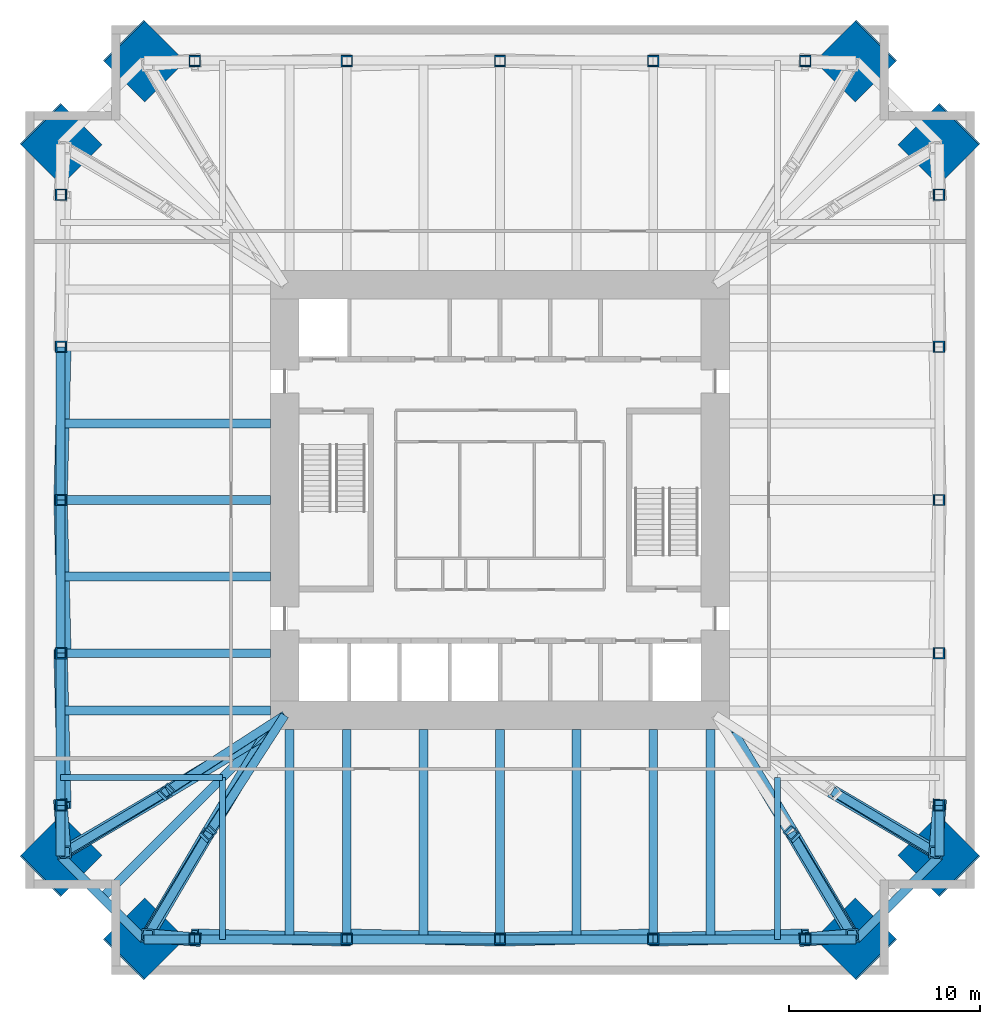
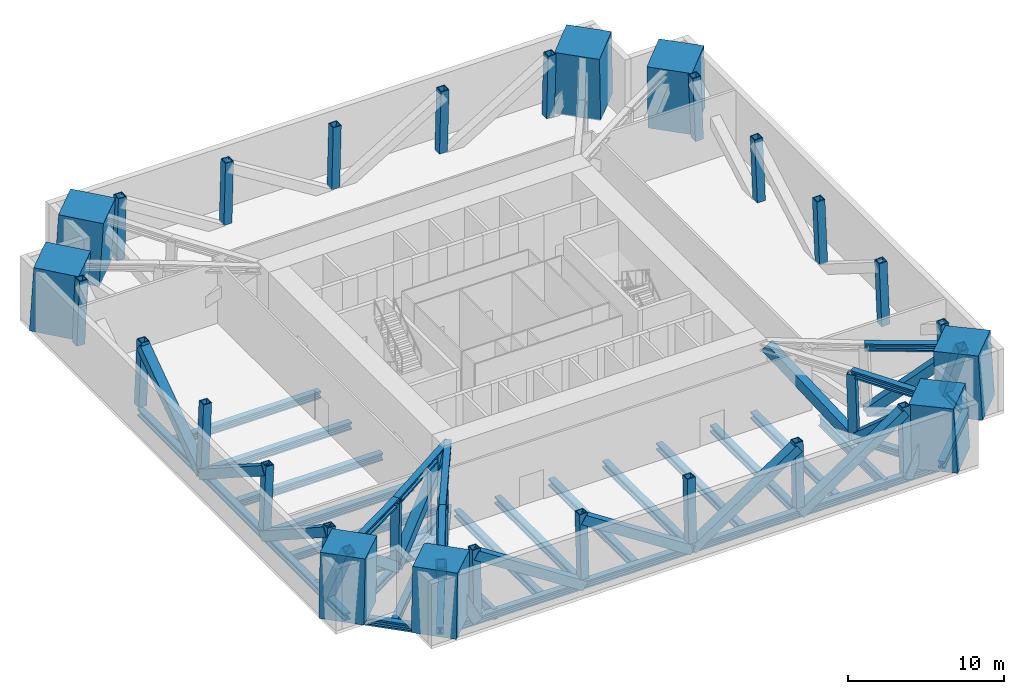
# One storey, part 1 of 6: 44 members, 28 columns, 18 beams.
"""IFC4 building model written with IfcOpenShell, lengths in metres."""

from ifc_helpers import new_model, si_unit, direction, frame, origin, origin_2d, place, context, subcontext, project, spatial, rectangle, hollow_rectangle, i_section, extrude, material, material_profile, profile_set, type_object, element, save


model = new_model("IFC4")

# Units and contexts
model_context = context("Model", 3, precision=1e-05, world=origin(), true_north=direction((0.0, 1.0)))
body_context = subcontext(model_context, "Body", "Model", "MODEL_VIEW")
ifc_project = project(units=[si_unit("LENGTHUNIT", "METRE"), si_unit("AREAUNIT", "SQUARE_METRE"), si_unit("VOLUMEUNIT", "CUBIC_METRE"), si_unit("PLANEANGLEUNIT", "RADIAN"), si_unit("MASSUNIT", "GRAM", prefix="KILO")], contexts=[model_context])

# Site, building, storey
site_placement = place(None, origin())
site = spatial("IfcSite", under=ifc_project, at=site_placement, CompositionType="ELEMENT")
building_placement = place(site_placement, origin())
building = spatial("IfcBuilding", under=site, at=building_placement, Name="Peilmerk Tower", CompositionType="ELEMENT")
storey_placement = place(building_placement, frame((0.0, 0.0, 196.800048828125)))
storey = spatial("IfcBuildingStorey", under=building, at=storey_placement, Name="L42", CompositionType="ELEMENT", Elevation=196.800048828125)

# Columns
ifc_material_1 = material(Name="Concrete C90/105", Category="concrete")
ifc_material_profile_1 = material_profile(ifc_material_1, rectangle(XDim=3.0, YDim=3.0, at=origin_2d()), Name="RC 3000x3000")
ifc_profile_set_1 = profile_set([ifc_material_profile_1], Name="Concrete C90/105")
column_type_1 = type_object("IfcColumnType", Name="MC2 3000x3000 encased mega column", PredefinedType="COLUMN", material=ifc_profile_set_1)
for number, where, z_axis, x_axis, name in (
    (1, (18.611328125, 22.961181640625, 0.0), (-0.040266662877, -0.04021791389, 0.998379244207), (0.706678361564, -0.707534941396, 0.0), "Mega column MC2 NE_N L42"),
    (2, (22.961181640625, 18.611328125, 0.0), (-0.04021791389, -0.040266662877, 0.998379244207), (0.707534941396, -0.706678361564, 0.0), "Mega column MC2 NE_E L42"),
    (3, (22.961181640625, -18.611328125, 0.0), (-0.04021791389, 0.040266662877, 0.998379244207), (-0.707534941396, -0.706678361564, 0.0), "Mega column MC2 SE_E L42"),
    (4, (18.611328125, -22.961181640625, 0.0), (-0.040266662877, 0.04021791389, 0.998379244207), (-0.706678361564, -0.707534941396, 0.0), "Mega column MC2 SE_S L42"),
    (5, (-18.611328125, -22.961181640625, 0.0), (0.040266662877, 0.04021791389, 0.998379244207), (-0.706678361564, 0.707534941396, 0.0), "Mega column MC2 SW_S L42"),
    (6, (-22.961181640625, -18.611328125, 0.0), (0.04021791389, 0.040266662877, 0.998379244207), (-0.707534941396, 0.706678361564, 0.0), "Mega column MC2 SW_W L42"),
    (7, (-22.961181640625, 18.611328125, 0.0), (0.04021791389, -0.040266662877, 0.998379244207), (0.707534941396, 0.706678361564, 0.0), "Mega column MC2 NW_W L42"),
    (8, (-18.611328125, 22.961181640625, 0.0), (0.040266662877, -0.04021791389, 0.998379244207), (0.706678361564, 0.707534941396, 0.0), "Mega column MC2 NW_N L42"),
):
    element("IfcColumn", number, at=place(storey_placement, frame(where, z_axis=z_axis, x_axis=x_axis)), inside=storey, type_object=column_type_1, Name=name, PredefinedType="COLUMN", context=body_context, shape_type="SweptSolid", body=[
        extrude(rectangle(XDim=3.0, YDim=3.0, at=origin_2d()), origin(), (0.0, 0.0, 1.0), 5.008056640625),
    ])
ifc_material_2 = material(Name="Steel S460", Category="steel")
ifc_material_profile_2 = material_profile(ifc_material_2, hollow_rectangle(XDim=0.60009765625, YDim=0.60009765625, WallThickness=0.06005859375, at=origin_2d()), Name="BOX 600x600x60")
ifc_profile_set_2 = profile_set([ifc_material_profile_2], Name="Steel S460")
column_type_2 = type_object("IfcColumnType", Name="SC9 BOX 600x600x60 belt truss vertical", PredefinedType="COLUMN", material=ifc_profile_set_2)
for number, where, z_axis, x_axis, name in (
    (9, (15.949951171875, 22.961181640625, 0.0), (0.0, -0.040250558339, 0.999189617917), (1.0, 0.0, 0.0), "Belt truss vertical T2 N"),
    (10, (8.0, 22.961181640625, 0.0), (0.0, -0.040250558339, 0.999189617917), (1.0, 0.0, 0.0), "Belt truss vertical T2 N"),
    (11, (0.0, 22.961181640625, 0.0), (0.0, -0.040250558339, 0.999189617917), (1.0, 0.0, 0.0), "Belt truss vertical T2 N"),
    (12, (-8.0, 22.961181640625, 0.0), (0.0, -0.040250558339, 0.999189617917), (1.0, 0.0, 0.0), "Belt truss vertical T2 N"),
    (13, (-15.949951171875, 22.961181640625, 0.0), (0.0, -0.040250558339, 0.999189617917), (1.0, 0.0, 0.0), "Belt truss vertical T2 N"),
    (14, (22.961181640625, -15.949951171875, 0.0), (-0.040250558339, 0.0, 0.999189617917), (0.0, -1.0, 0.0), "Belt truss vertical T2 E"),
    (15, (22.961181640625, -8.0, 0.0), (-0.040250558339, 0.0, 0.999189617917), (0.0, -1.0, 0.0), "Belt truss vertical T2 E"),
    (16, (22.961181640625, 0.0, 0.0), (-0.040250558339, 0.0, 0.999189617917), (0.0, -1.0, 0.0), "Belt truss vertical T2 E"),
    (17, (22.961181640625, 8.0, 0.0), (-0.040250558339, 0.0, 0.999189617917), (0.0, -1.0, 0.0), "Belt truss vertical T2 E"),
    (18, (22.961181640625, 15.949951171875, 0.0), (-0.040250558339, 0.0, 0.999189617917), (0.0, -1.0, 0.0), "Belt truss vertical T2 E"),
    (19, (-15.949951171875, -22.961181640625, 0.0), (0.0, 0.040250558339, 0.999189617917), (-1.0, 0.0, 0.0), "Belt truss vertical T2 S"),
    (20, (-8.0, -22.961181640625, 0.0), (0.0, 0.040250558339, 0.999189617917), (-1.0, 0.0, 0.0), "Belt truss vertical T2 S"),
    (21, (0.0, -22.961181640625, 0.0), (0.0, 0.040250558339, 0.999189617917), (-1.0, 0.0, 0.0), "Belt truss vertical T2 S"),
    (22, (8.0, -22.961181640625, 0.0), (0.0, 0.040250558339, 0.999189617917), (-1.0, 0.0, 0.0), "Belt truss vertical T2 S"),
    (23, (15.949951171875, -22.961181640625, 0.0), (0.0, 0.040250558339, 0.999189617917), (-1.0, 0.0, 0.0), "Belt truss vertical T2 S"),
    (24, (-22.961181640625, 15.949951171875, 0.0), (0.040250558339, 0.0, 0.999189617917), (0.0, 1.0, 0.0), "Belt truss vertical T2 W"),
    (25, (-22.961181640625, 8.0, 0.0), (0.040250558339, 0.0, 0.999189617917), (0.0, 1.0, 0.0), "Belt truss vertical T2 W"),
    (26, (-22.961181640625, 0.0, 0.0), (0.040250558339, 0.0, 0.999189617917), (0.0, 1.0, 0.0), "Belt truss vertical T2 W"),
    (27, (-22.961181640625, -8.0, 0.0), (0.040250558339, 0.0, 0.999189617917), (0.0, 1.0, 0.0), "Belt truss vertical T2 W"),
    (28, (-22.961181640625, -15.949951171875, 0.0), (0.040250558339, 0.0, 0.999189617917), (0.0, 1.0, 0.0), "Belt truss vertical T2 W"),
):
    element("IfcColumn", number, at=place(storey_placement, frame(where, z_axis=z_axis, x_axis=x_axis)), inside=storey, type_object=column_type_2, Name=name, PredefinedType="COLUMN", context=body_context, shape_type="SweptSolid", body=[
        extrude(hollow_rectangle(XDim=0.60009765625, YDim=0.60009765625, WallThickness=0.06005859375, at=origin_2d()), origin(), (0.0, 0.0, 1.0), 5.004150390625),
    ])

# Beams
ifc_material_profile_3 = material_profile(ifc_material_2, i_section(OverallWidth=0.4541015625, OverallDepth=0.569091796875, WebThickness=0.077880859375, FlangeThickness=0.125, at=origin_2d()), Name="HD 400x1086")
ifc_profile_set_3 = profile_set([ifc_material_profile_3], Name="Steel S460")
beam_type_1 = type_object("IfcBeamType", Name="B17 HD 400x1086 edge beam", PredefinedType="SPANDREL", material=ifc_profile_set_3)
for number, where, z_axis, x_axis, name in (
    (29, (22.961181640625, -18.611328125, -0.53466796875), (-0.707106781187, -0.707106781187, 0.0), (0.707106781187, -0.707106781187, 0.0), "Notch beam L42"),
    (30, (-18.611328125, -22.961181640625, -0.53466796875), (-0.707106781187, 0.707106781187, 0.0), (-0.707106781187, -0.707106781187, 0.0), "Notch beam L42"),
):
    element("IfcBeam", number, at=place(storey_placement, frame(where, z_axis=z_axis, x_axis=x_axis)), inside=storey, type_object=beam_type_1, Name=name, PredefinedType="SPANDREL", context=body_context, shape_type="SweptSolid", body=[
        extrude(i_section(OverallWidth=0.4541015625, OverallDepth=0.569091796875, WebThickness=0.077880859375, FlangeThickness=0.125, at=origin_2d()), origin(), (0.0, 0.0, 1.0), 6.151611328125),
    ])
ifc_material_profile_4 = material_profile(ifc_material_2, i_section(OverallWidth=0.302978515625, OverallDepth=0.81396484375, WebThickness=0.02099609375, FlangeThickness=0.0400390625, at=origin_2d()), Name="HEM 800")
ifc_profile_set_4 = profile_set([ifc_material_profile_4], Name="Steel S460")
beam_type_2 = type_object("IfcBeamType", Name="B26 HEM 800 floor beam", PredefinedType="BEAM", material=ifc_profile_set_4)
for number, where, z_axis, x_axis, name in (
    (31, (14.5, -14.5, -0.656982421875), (0.0, -1.0, 0.0), (1.0, 0.0, 0.0), "Floor beam L42"),
    (32, (-14.5, -14.5, -0.656982421875), (0.0, -1.0, 0.0), (1.0, 0.0, 0.0), "Floor beam L42"),
    (33, (-14.5, -14.5, -0.656982421875), (-1.0, 0.0, 0.0), (0.0, -1.0, 0.0), "Floor beam L42"),
):
    element("IfcBeam", number, at=place(storey_placement, frame(where, z_axis=z_axis, x_axis=x_axis)), inside=storey, type_object=beam_type_2, Name=name, PredefinedType="BEAM", context=body_context, shape_type="SweptSolid", body=[
        extrude(i_section(OverallWidth=0.302978515625, OverallDepth=0.81396484375, WebThickness=0.02099609375, FlangeThickness=0.0400390625, at=origin_2d()), origin(), (0.0, 0.0, 1.0), 8.461181640625),
    ])
ifc_material_profile_5 = material_profile(ifc_material_2, i_section(OverallWidth=0.4541015625, OverallDepth=0.569091796875, WebThickness=0.077880859375, FlangeThickness=0.125, at=origin_2d()), Name="HD 400x1086")
ifc_profile_set_5 = profile_set([ifc_material_profile_5], Name="Steel S460")
beam_type_3 = type_object("IfcBeamType", Name="B9 HD 400x1086 corner girder", PredefinedType="BEAM", material=ifc_profile_set_5)
for number, where, z_axis, x_axis, name in (
    (34, (-11.0, -12.0, -0.53466796875), (0.0, -1.0, 0.0), (1.0, 0.0, 0.0), "Floor beam L42"),
    (35, (-8.0, -12.0, -0.53466796875), (0.0, -1.0, 0.0), (1.0, 0.0, 0.0), "Floor beam L42"),
    (36, (-4.0, -12.0, -0.53466796875), (0.0, -1.0, 0.0), (1.0, 0.0, 0.0), "Floor beam L42"),
    (37, (0.0, -12.0, -0.53466796875), (0.0, -1.0, 0.0), (1.0, 0.0, 0.0), "Floor beam L42"),
    (38, (4.0, -12.0, -0.53466796875), (0.0, -1.0, 0.0), (1.0, 0.0, 0.0), "Floor beam L42"),
    (39, (8.0, -12.0, -0.53466796875), (0.0, -1.0, 0.0), (1.0, 0.0, 0.0), "Floor beam L42"),
    (40, (11.0, -12.0, -0.53466796875), (0.0, -1.0, 0.0), (1.0, 0.0, 0.0), "Floor beam L42"),
    (41, (-12.0, 4.0, -0.53466796875), (-1.0, 0.0, 0.0), (0.0, -1.0, 0.0), "Floor beam L42"),
    (42, (-12.0, 0.0, -0.53466796875), (-1.0, 0.0, 0.0), (0.0, -1.0, 0.0), "Floor beam L42"),
    (43, (-12.0, -4.0, -0.53466796875), (-1.0, 0.0, 0.0), (0.0, -1.0, 0.0), "Floor beam L42"),
    (44, (-12.0, -8.0, -0.53466796875), (-1.0, 0.0, 0.0), (0.0, -1.0, 0.0), "Floor beam L42"),
    (45, (-12.0, -11.0, -0.53466796875), (-1.0, 0.0, 0.0), (0.0, -1.0, 0.0), "Floor beam L42"),
):
    element("IfcBeam", number, at=place(storey_placement, frame(where, z_axis=z_axis, x_axis=x_axis)), inside=storey, type_object=beam_type_3, Name=name, PredefinedType="BEAM", context=body_context, shape_type="SweptSolid", body=[
        extrude(i_section(OverallWidth=0.4541015625, OverallDepth=0.569091796875, WebThickness=0.077880859375, FlangeThickness=0.125, at=origin_2d()), origin(), (0.0, 0.0, 1.0), 10.961181640625),
    ])
beam_placement = place(storey_placement, frame((-11.25, -11.25, -0.53466796875), z_axis=(-0.707106781187, -0.707106781187, 0.0), x_axis=(0.707106781187, -0.707106781187, 0.0)))
element("IfcBeam", 46, at=beam_placement, inside=storey, type_object=beam_type_3, Name="Corner girder L42", PredefinedType="BEAM", context=body_context, shape_type="SweptSolid", body=[
    extrude(i_section(OverallWidth=0.4541015625, OverallDepth=0.569091796875, WebThickness=0.077880859375, FlangeThickness=0.125, at=origin_2d()), origin(), (0.0, 0.0, 1.0), 13.486572265625),
])

# Members
ifc_material_profile_6 = material_profile(ifc_material_2, i_section(OverallWidth=0.4541015625, OverallDepth=0.569091796875, WebThickness=0.077880859375, FlangeThickness=0.125, at=origin_2d()), Name="HD 400x1086")
ifc_profile_set_6 = profile_set([ifc_material_profile_6], Name="Steel S460")
member_type_1 = type_object("IfcMemberType", Name="M1 HD 400x1086 belt truss chord", PredefinedType="CHORD", material=ifc_profile_set_6)
for number, where, z_axis, x_axis, name in (
    (47, (22.961181640625, -18.611328125, -0.53466796875), (0.0, 1.0, 0.0), (-1.0, 0.0, 0.0), "Belt truss chord L42"),
    (48, (-18.611328125, -22.961181640625, -0.53466796875), (1.0, 0.0, 0.0), (0.0, 1.0, 0.0), "Belt truss chord L42"),
):
    element("IfcMember", number, at=place(storey_placement, frame(where, z_axis=z_axis, x_axis=x_axis)), inside=storey, type_object=member_type_1, Name=name, PredefinedType="CHORD", context=body_context, shape_type="SweptSolid", body=[
        extrude(i_section(OverallWidth=0.4541015625, OverallDepth=0.569091796875, WebThickness=0.077880859375, FlangeThickness=0.125, at=origin_2d()), origin(), (0.0, 0.0, 1.0), 2.661376953125),
    ])
member_1_placement = place(storey_placement, frame((-15.949951171875, -22.961181640625, -0.53466796875), z_axis=(1.0, 0.0, 0.0), x_axis=(0.0, 1.0, 0.0)))
element("IfcMember", 49, at=member_1_placement, inside=storey, type_object=member_type_1, Name="Belt truss chord L42", PredefinedType="CHORD", context=body_context, shape_type="SweptSolid", body=[
    extrude(i_section(OverallWidth=0.4541015625, OverallDepth=0.569091796875, WebThickness=0.077880859375, FlangeThickness=0.125, at=origin_2d()), origin(), (0.0, 0.0, 1.0), 7.949951171875),
])
for number, where, z_axis, x_axis, name in (
    (50, (-8.0, -22.961181640625, -0.53466796875), (1.0, 0.0, 0.0), (0.0, 1.0, 0.0), "Belt truss chord L42"),
    (51, (0.0, -22.961181640625, -0.53466796875), (1.0, 0.0, 0.0), (0.0, 1.0, 0.0), "Belt truss chord L42"),
):
    element("IfcMember", number, at=place(storey_placement, frame(where, z_axis=z_axis, x_axis=x_axis)), inside=storey, type_object=member_type_1, Name=name, PredefinedType="CHORD", context=body_context, shape_type="SweptSolid", body=[
        extrude(i_section(OverallWidth=0.4541015625, OverallDepth=0.569091796875, WebThickness=0.077880859375, FlangeThickness=0.125, at=origin_2d()), origin(), (0.0, 0.0, 1.0), 8.0),
    ])
member_2_placement = place(storey_placement, frame((8.0, -22.961181640625, -0.53466796875), z_axis=(1.0, 0.0, 0.0), x_axis=(0.0, 1.0, 0.0)))
element("IfcMember", 52, at=member_2_placement, inside=storey, type_object=member_type_1, Name="Belt truss chord L42", PredefinedType="CHORD", context=body_context, shape_type="SweptSolid", body=[
    extrude(i_section(OverallWidth=0.4541015625, OverallDepth=0.569091796875, WebThickness=0.077880859375, FlangeThickness=0.125, at=origin_2d()), origin(), (0.0, 0.0, 1.0), 7.949951171875),
])
member_3_placement = place(storey_placement, frame((15.949951171875, -22.961181640625, -0.53466796875), z_axis=(1.0, 0.0, 0.0), x_axis=(0.0, 1.0, 0.0)))
element("IfcMember", 53, at=member_3_placement, inside=storey, type_object=member_type_1, Name="Belt truss chord L42", PredefinedType="CHORD", context=body_context, shape_type="SweptSolid", body=[
    extrude(i_section(OverallWidth=0.4541015625, OverallDepth=0.569091796875, WebThickness=0.077880859375, FlangeThickness=0.125, at=origin_2d()), origin(), (0.0, 0.0, 1.0), 2.661376953125),
])
for number, where, z_axis, x_axis, name in (
    (54, (-22.961181640625, 8.0, -0.53466796875), (0.0, -1.0, 0.0), (1.0, 0.0, 0.0), "Belt truss chord L42"),
    (55, (-22.961181640625, 0.0, -0.53466796875), (0.0, -1.0, 0.0), (1.0, 0.0, 0.0), "Belt truss chord L42"),
):
    element("IfcMember", number, at=place(storey_placement, frame(where, z_axis=z_axis, x_axis=x_axis)), inside=storey, type_object=member_type_1, Name=name, PredefinedType="CHORD", context=body_context, shape_type="SweptSolid", body=[
        extrude(i_section(OverallWidth=0.4541015625, OverallDepth=0.569091796875, WebThickness=0.077880859375, FlangeThickness=0.125, at=origin_2d()), origin(), (0.0, 0.0, 1.0), 8.0),
    ])
member_4_placement = place(storey_placement, frame((-22.961181640625, -8.0, -0.53466796875), z_axis=(0.0, -1.0, 0.0), x_axis=(1.0, 0.0, 0.0)))
element("IfcMember", 56, at=member_4_placement, inside=storey, type_object=member_type_1, Name="Belt truss chord L42", PredefinedType="CHORD", context=body_context, shape_type="SweptSolid", body=[
    extrude(i_section(OverallWidth=0.4541015625, OverallDepth=0.569091796875, WebThickness=0.077880859375, FlangeThickness=0.125, at=origin_2d()), origin(), (0.0, 0.0, 1.0), 7.949951171875),
])
member_5_placement = place(storey_placement, frame((-22.961181640625, -15.949951171875, -0.53466796875), z_axis=(0.0, -1.0, 0.0), x_axis=(1.0, 0.0, 0.0)))
element("IfcMember", 57, at=member_5_placement, inside=storey, type_object=member_type_1, Name="Belt truss chord L42", PredefinedType="CHORD", context=body_context, shape_type="SweptSolid", body=[
    extrude(i_section(OverallWidth=0.4541015625, OverallDepth=0.569091796875, WebThickness=0.077880859375, FlangeThickness=0.125, at=origin_2d()), origin(), (0.0, 0.0, 1.0), 2.661376953125),
])
member_6_placement = place(storey_placement, frame((17.480712890625, -15.3056640625, -0.53466796875), z_axis=(0.856292379698, -0.516491394383, 0.0), x_axis=(0.516491394383, 0.856292379698, 0.0)))
element("IfcMember", 58, at=member_6_placement, inside=storey, type_object=member_type_1, Name="Outrigger chord T2 SE", PredefinedType="CHORD", context=body_context, shape_type="SweptSolid", body=[
    extrude(i_section(OverallWidth=0.4541015625, OverallDepth=0.569091796875, WebThickness=0.077880859375, FlangeThickness=0.125, at=origin_2d()), origin(), (0.0, 0.0, 1.0), 6.400146484375),
])
member_7_placement = place(storey_placement, frame((17.3798828125, -15.204833984375, 4.54541015625), z_axis=(0.859115768006, -0.511781298176, 0.0), x_axis=(0.511781298176, 0.859115768006, 0.0)))
element("IfcMember", 59, at=member_7_placement, inside=storey, type_object=member_type_1, Name="Outrigger chord T2 SE", PredefinedType="CHORD", context=body_context, shape_type="SweptSolid", body=[
    extrude(i_section(OverallWidth=0.4541015625, OverallDepth=0.569091796875, WebThickness=0.077880859375, FlangeThickness=0.125, at=origin_2d()), origin(), (0.0, 0.0, 1.0), 6.26220703125),
])
member_8_placement = place(storey_placement, frame((15.3056640625, -17.480712890625, -0.53466796875), z_axis=(0.516491394383, -0.856292379698, 0.0), x_axis=(0.856292379698, 0.516491394383, 0.0)))
element("IfcMember", 60, at=member_8_placement, inside=storey, type_object=member_type_1, Name="Outrigger chord T2 SE", PredefinedType="CHORD", context=body_context, shape_type="SweptSolid", body=[
    extrude(i_section(OverallWidth=0.4541015625, OverallDepth=0.569091796875, WebThickness=0.077880859375, FlangeThickness=0.125, at=origin_2d()), origin(), (0.0, 0.0, 1.0), 6.400146484375),
])
member_9_placement = place(storey_placement, frame((15.204833984375, -17.3798828125, 4.54541015625), z_axis=(0.511781298176, -0.859115768006, 0.0), x_axis=(0.859115768006, 0.511781298176, 0.0)))
element("IfcMember", 61, at=member_9_placement, inside=storey, type_object=member_type_1, Name="Outrigger chord T2 SE", PredefinedType="CHORD", context=body_context, shape_type="SweptSolid", body=[
    extrude(i_section(OverallWidth=0.4541015625, OverallDepth=0.569091796875, WebThickness=0.077880859375, FlangeThickness=0.125, at=origin_2d()), origin(), (0.0, 0.0, 1.0), 6.26220703125),
])
member_10_placement = place(storey_placement, frame((-11.25, -11.25, -0.53466796875), z_axis=(-0.545527288107, -0.838093060424, 0.0), x_axis=(0.838093060424, -0.545527288107, 0.0)))
element("IfcMember", 62, at=member_10_placement, inside=storey, type_object=member_type_1, Name="Outrigger chord T2 SW", PredefinedType="CHORD", context=body_context, shape_type="SweptSolid", body=[
    extrude(i_section(OverallWidth=0.4541015625, OverallDepth=0.569091796875, WebThickness=0.077880859375, FlangeThickness=0.125, at=origin_2d()), origin(), (0.0, 0.0, 1.0), 7.434326171875),
])
member_11_placement = place(storey_placement, frame((-15.3056640625, -17.480712890625, -0.53466796875), z_axis=(-0.516491394383, -0.856292379698, 0.0), x_axis=(0.856292379698, -0.516491394383, 0.0)))
element("IfcMember", 63, at=member_11_placement, inside=storey, type_object=member_type_1, Name="Outrigger chord T2 SW", PredefinedType="CHORD", context=body_context, shape_type="SweptSolid", body=[
    extrude(i_section(OverallWidth=0.4541015625, OverallDepth=0.569091796875, WebThickness=0.077880859375, FlangeThickness=0.125, at=origin_2d()), origin(), (0.0, 0.0, 1.0), 6.400146484375),
])
member_12_placement = place(storey_placement, frame((-11.25, -11.25, 4.54541015625), z_axis=(-0.542133730439, -0.84029222198, 0.0), x_axis=(0.84029222198, -0.542133730439, 0.0)))
element("IfcMember", 64, at=member_12_placement, inside=storey, type_object=member_type_1, Name="Outrigger chord T2 SW", PredefinedType="CHORD", context=body_context, shape_type="SweptSolid", body=[
    extrude(i_section(OverallWidth=0.4541015625, OverallDepth=0.569091796875, WebThickness=0.077880859375, FlangeThickness=0.125, at=origin_2d()), origin(), (0.0, 0.0, 1.0), 7.294921875),
])
member_13_placement = place(storey_placement, frame((-15.204833984375, -17.3798828125, 4.54541015625), z_axis=(-0.511781298176, -0.859115768006, 0.0), x_axis=(0.859115768006, -0.511781298176, 0.0)))
element("IfcMember", 65, at=member_13_placement, inside=storey, type_object=member_type_1, Name="Outrigger chord T2 SW", PredefinedType="CHORD", context=body_context, shape_type="SweptSolid", body=[
    extrude(i_section(OverallWidth=0.4541015625, OverallDepth=0.569091796875, WebThickness=0.077880859375, FlangeThickness=0.125, at=origin_2d()), origin(), (0.0, 0.0, 1.0), 6.26220703125),
])
member_14_placement = place(storey_placement, frame((-11.25, -11.25, -0.53466796875), z_axis=(-0.838093060424, -0.545527288107, 0.0), x_axis=(0.545527288107, -0.838093060424, 0.0)))
element("IfcMember", 66, at=member_14_placement, inside=storey, type_object=member_type_1, Name="Outrigger chord T2 SW", PredefinedType="CHORD", context=body_context, shape_type="SweptSolid", body=[
    extrude(i_section(OverallWidth=0.4541015625, OverallDepth=0.569091796875, WebThickness=0.077880859375, FlangeThickness=0.125, at=origin_2d()), origin(), (0.0, 0.0, 1.0), 7.434326171875),
])
member_15_placement = place(storey_placement, frame((-17.480712890625, -15.3056640625, -0.53466796875), z_axis=(-0.856292379698, -0.516491394383, 0.0), x_axis=(0.516491394383, -0.856292379698, 0.0)))
element("IfcMember", 67, at=member_15_placement, inside=storey, type_object=member_type_1, Name="Outrigger chord T2 SW", PredefinedType="CHORD", context=body_context, shape_type="SweptSolid", body=[
    extrude(i_section(OverallWidth=0.4541015625, OverallDepth=0.569091796875, WebThickness=0.077880859375, FlangeThickness=0.125, at=origin_2d()), origin(), (0.0, 0.0, 1.0), 6.400146484375),
])
member_16_placement = place(storey_placement, frame((-11.25, -11.25, 4.54541015625), z_axis=(-0.84029222198, -0.542133730439, 0.0), x_axis=(0.542133730439, -0.84029222198, 0.0)))
element("IfcMember", 68, at=member_16_placement, inside=storey, type_object=member_type_1, Name="Outrigger chord T2 SW", PredefinedType="CHORD", context=body_context, shape_type="SweptSolid", body=[
    extrude(i_section(OverallWidth=0.4541015625, OverallDepth=0.569091796875, WebThickness=0.077880859375, FlangeThickness=0.125, at=origin_2d()), origin(), (0.0, 0.0, 1.0), 7.294921875),
])
member_17_placement = place(storey_placement, frame((-17.3798828125, -15.204833984375, 4.54541015625), z_axis=(-0.859115768006, -0.511781298176, 0.0), x_axis=(0.511781298176, -0.859115768006, 0.0)))
element("IfcMember", 69, at=member_17_placement, inside=storey, type_object=member_type_1, Name="Outrigger chord T2 SW", PredefinedType="CHORD", context=body_context, shape_type="SweptSolid", body=[
    extrude(i_section(OverallWidth=0.4541015625, OverallDepth=0.569091796875, WebThickness=0.077880859375, FlangeThickness=0.125, at=origin_2d()), origin(), (0.0, 0.0, 1.0), 6.26220703125),
])
ifc_material_profile_7 = material_profile(ifc_material_2, hollow_rectangle(XDim=0.60009765625, YDim=0.60009765625, WallThickness=0.06005859375, at=origin_2d()), Name="BOX 600x600x60")
ifc_profile_set_7 = profile_set([ifc_material_profile_7], Name="Steel S460")
member_type_2 = type_object("IfcMemberType", Name="M3 BOX 600x600x60 outrigger post", PredefinedType="POST", material=ifc_profile_set_7)
for number, where, z_axis, x_axis, name in (
    (70, (15.3056640625, -17.480712890625, -0.53466796875), (-0.019840320807, 0.019840320807, 0.999606284164), (-0.707106781187, -0.707106781187, 0.0), "Outrigger post T2 SE"),
    (71, (-15.3056640625, -17.480712890625, -0.53466796875), (0.019840320807, 0.019840320807, 0.999606284164), (-0.707106781187, 0.707106781187, 0.0), "Outrigger post T2 SW"),
    (72, (-17.480712890625, -15.3056640625, -0.53466796875), (0.019840320807, 0.019840320807, 0.999606284164), (-0.707106781187, 0.707106781187, 0.0), "Outrigger post T2 SW"),
):
    element("IfcMember", number, at=place(storey_placement, frame(where, z_axis=z_axis, x_axis=x_axis)), inside=storey, type_object=member_type_2, Name=name, PredefinedType="POST", context=body_context, shape_type="SweptSolid", body=[
        extrude(hollow_rectangle(XDim=0.60009765625, YDim=0.60009765625, WallThickness=0.06005859375, at=origin_2d()), origin(), (0.0, 0.0, 1.0), 5.08203125),
    ])
ifc_material_profile_8 = material_profile(ifc_material_2, hollow_rectangle(XDim=0.699951171875, YDim=0.699951171875, WallThickness=0.080078125, at=origin_2d()), Name="BOX 700x700x80")
ifc_profile_set_8 = profile_set([ifc_material_profile_8], Name="Steel S460")
member_type_3 = type_object("IfcMemberType", Name="M4 BOX 700x700x80 outrigger diagonal", PredefinedType="BRACE", material=ifc_profile_set_8)
for number, where, z_axis, x_axis, name in (
    (73, (22.961181640625, -15.949951171875, -0.53466796875), (-0.035662557552, -0.435515475554, 0.899474542465), (0.996664119985, -0.081612694689, 0.0), "Belt truss diagonal T2 E"),
    (74, (-15.949951171875, -22.961181640625, -0.53466796875), (-0.435515475554, 0.035662557552, 0.899474542465), (-0.081612694689, -0.996664119985, 0.0), "Belt truss diagonal T2 S"),
):
    element("IfcMember", number, at=place(storey_placement, frame(where, z_axis=z_axis, x_axis=x_axis)), inside=storey, type_object=member_type_3, Name=name, PredefinedType="BRACE", context=body_context, shape_type="SweptSolid", body=[
        extrude(hollow_rectangle(XDim=0.699951171875, YDim=0.699951171875, WallThickness=0.080078125, at=origin_2d()), origin(), (0.0, 0.0, 1.0), 5.64794921875),
    ])
member_18_placement = place(storey_placement, frame((-8.0, -22.961181640625, -0.53466796875), z_axis=(-0.842458959259, 0.021344121899, 0.538337561781), x_axis=(-0.025327376123, -0.999679210556, 0.0)))
element("IfcMember", 75, at=member_18_placement, inside=storey, type_object=member_type_3, Name="Belt truss diagonal T2 S", PredefinedType="BRACE", context=body_context, shape_type="SweptSolid", body=[
    extrude(hollow_rectangle(XDim=0.699951171875, YDim=0.699951171875, WallThickness=0.080078125, at=origin_2d()), origin(), (0.0, 0.0, 1.0), 9.4365234375),
])
for number, where, z_axis, x_axis, name in (
    (76, (0.0, -22.961181640625, -0.53466796875), (-0.843988161096, 0.02124909158, 0.535940724368), (-0.025169026128, -0.999683209884, 0.0), "Belt truss diagonal T2 S"),
    (77, (0.0, -22.961181640625, -0.53466796875), (0.843988161096, 0.02124909158, 0.535940724368), (-0.025169026128, 0.999683209884, 0.0), "Belt truss diagonal T2 S"),
):
    element("IfcMember", number, at=place(storey_placement, frame(where, z_axis=z_axis, x_axis=x_axis)), inside=storey, type_object=member_type_3, Name=name, PredefinedType="BRACE", context=body_context, shape_type="SweptSolid", body=[
        extrude(hollow_rectangle(XDim=0.699951171875, YDim=0.699951171875, WallThickness=0.080078125, at=origin_2d()), origin(), (0.0, 0.0, 1.0), 9.478759765625),
    ])
member_19_placement = place(storey_placement, frame((8.0, -22.961181640625, -0.53466796875), z_axis=(0.842458959259, 0.021344121899, 0.538337561781), x_axis=(-0.025327376123, 0.999679210556, 0.0)))
element("IfcMember", 78, at=member_19_placement, inside=storey, type_object=member_type_3, Name="Belt truss diagonal T2 S", PredefinedType="BRACE", context=body_context, shape_type="SweptSolid", body=[
    extrude(hollow_rectangle(XDim=0.699951171875, YDim=0.699951171875, WallThickness=0.080078125, at=origin_2d()), origin(), (0.0, 0.0, 1.0), 9.4365234375),
])
member_20_placement = place(storey_placement, frame((15.949951171875, -22.961181640625, -0.53466796875), z_axis=(0.435515475554, 0.035662557552, 0.899474542465), x_axis=(-0.081612694689, 0.996664119985, 0.0)))
element("IfcMember", 79, at=member_20_placement, inside=storey, type_object=member_type_3, Name="Belt truss diagonal T2 S", PredefinedType="BRACE", context=body_context, shape_type="SweptSolid", body=[
    extrude(hollow_rectangle(XDim=0.699951171875, YDim=0.699951171875, WallThickness=0.080078125, at=origin_2d()), origin(), (0.0, 0.0, 1.0), 5.64794921875),
])
for number, where, z_axis, x_axis, name in (
    (80, (-22.961181640625, 0.0, -0.53466796875), (0.02124909158, 0.843988161096, 0.535940724368), (-0.999683209884, 0.025169026128, 0.0), "Belt truss diagonal T2 W"),
    (81, (-22.961181640625, 0.0, -0.53466796875), (0.02124909158, -0.843988161096, 0.535940724368), (0.999683209884, 0.025169026128, 0.0), "Belt truss diagonal T2 W"),
):
    element("IfcMember", number, at=place(storey_placement, frame(where, z_axis=z_axis, x_axis=x_axis)), inside=storey, type_object=member_type_3, Name=name, PredefinedType="BRACE", context=body_context, shape_type="SweptSolid", body=[
        extrude(hollow_rectangle(XDim=0.699951171875, YDim=0.699951171875, WallThickness=0.080078125, at=origin_2d()), origin(), (0.0, 0.0, 1.0), 9.478759765625),
    ])
member_21_placement = place(storey_placement, frame((-22.961181640625, -8.0, -0.53466796875), z_axis=(0.021344121899, -0.842458959259, 0.538337561781), x_axis=(0.999679210556, 0.025327376123, 0.0)))
element("IfcMember", 82, at=member_21_placement, inside=storey, type_object=member_type_3, Name="Belt truss diagonal T2 W", PredefinedType="BRACE", context=body_context, shape_type="SweptSolid", body=[
    extrude(hollow_rectangle(XDim=0.699951171875, YDim=0.699951171875, WallThickness=0.080078125, at=origin_2d()), origin(), (0.0, 0.0, 1.0), 9.4365234375),
])
member_22_placement = place(storey_placement, frame((-22.961181640625, -15.949951171875, -0.53466796875), z_axis=(0.035662557552, -0.435515475554, 0.899474542465), x_axis=(0.996664119985, 0.081612694689, 0.0)))
element("IfcMember", 83, at=member_22_placement, inside=storey, type_object=member_type_3, Name="Belt truss diagonal T2 W", PredefinedType="BRACE", context=body_context, shape_type="SweptSolid", body=[
    extrude(hollow_rectangle(XDim=0.699951171875, YDim=0.699951171875, WallThickness=0.080078125, at=origin_2d()), origin(), (0.0, 0.0, 1.0), 5.64794921875),
])
member_23_placement = place(storey_placement, frame((17.480712890625, -15.3056640625, -0.53466796875), z_axis=(0.663465527535, -0.390107788794, 0.638458617997), x_axis=(0.506859832821, 0.862028485534, 0.0)))
element("IfcMember", 84, at=member_23_placement, inside=storey, type_object=member_type_3, Name="Outrigger diagonal T2", PredefinedType="BRACE", context=body_context, shape_type="SweptSolid", body=[
    extrude(hollow_rectangle(XDim=0.699951171875, YDim=0.699951171875, WallThickness=0.080078125, at=origin_2d()), origin(), (0.0, 0.0, 1.0), 7.956787109375),
])
member_24_placement = place(storey_placement, frame((15.3056640625, -17.480712890625, -0.53466796875), z_axis=(-0.404537558842, 0.67071371185, 0.621685193825), x_axis=(-0.856302555047, -0.51647452427, 0.0)))
element("IfcMember", 85, at=member_24_placement, inside=storey, type_object=member_type_3, Name="Outrigger diagonal T2", PredefinedType="BRACE", context=body_context, shape_type="SweptSolid", body=[
    extrude(hollow_rectangle(XDim=0.699951171875, YDim=0.699951171875, WallThickness=0.080078125, at=origin_2d()), origin(), (0.0, 0.0, 1.0), 8.17138671875),
])
member_25_placement = place(storey_placement, frame((15.3056640625, -17.480712890625, -0.53466796875), z_axis=(0.390107788794, -0.663465527535, 0.638458617997), x_axis=(0.862028485534, 0.506859832821, 0.0)))
element("IfcMember", 86, at=member_25_placement, inside=storey, type_object=member_type_3, Name="Outrigger diagonal T2", PredefinedType="BRACE", context=body_context, shape_type="SweptSolid", body=[
    extrude(hollow_rectangle(XDim=0.699951171875, YDim=0.699951171875, WallThickness=0.080078125, at=origin_2d()), origin(), (0.0, 0.0, 1.0), 7.956787109375),
])
member_26_placement = place(storey_placement, frame((-15.3056640625, -17.480712890625, -0.53466796875), z_axis=(0.404537558842, 0.67071371185, 0.621685193825), x_axis=(-0.856302555047, 0.51647452427, 0.0)))
element("IfcMember", 87, at=member_26_placement, inside=storey, type_object=member_type_3, Name="Outrigger diagonal T2", PredefinedType="BRACE", context=body_context, shape_type="SweptSolid", body=[
    extrude(hollow_rectangle(XDim=0.699951171875, YDim=0.699951171875, WallThickness=0.080078125, at=origin_2d()), origin(), (0.0, 0.0, 1.0), 8.17138671875),
])
member_27_placement = place(storey_placement, frame((-15.3056640625, -17.480712890625, -0.53466796875), z_axis=(-0.390107788794, -0.663465527535, 0.638458617997), x_axis=(0.862028485534, -0.506859832821, 0.0)))
element("IfcMember", 88, at=member_27_placement, inside=storey, type_object=member_type_3, Name="Outrigger diagonal T2", PredefinedType="BRACE", context=body_context, shape_type="SweptSolid", body=[
    extrude(hollow_rectangle(XDim=0.699951171875, YDim=0.699951171875, WallThickness=0.080078125, at=origin_2d()), origin(), (0.0, 0.0, 1.0), 7.956787109375),
])
member_28_placement = place(storey_placement, frame((-17.480712890625, -15.3056640625, -0.53466796875), z_axis=(0.67071371185, 0.404537558842, 0.621685193825), x_axis=(-0.51647452427, 0.856302555047, 0.0)))
element("IfcMember", 89, at=member_28_placement, inside=storey, type_object=member_type_3, Name="Outrigger diagonal T2", PredefinedType="BRACE", context=body_context, shape_type="SweptSolid", body=[
    extrude(hollow_rectangle(XDim=0.699951171875, YDim=0.699951171875, WallThickness=0.080078125, at=origin_2d()), origin(), (0.0, 0.0, 1.0), 8.17138671875),
])
member_29_placement = place(storey_placement, frame((-17.480712890625, -15.3056640625, -0.53466796875), z_axis=(-0.663465527535, -0.390107788794, 0.638458617997), x_axis=(0.506859832821, -0.862028485534, 0.0)))
element("IfcMember", 90, at=member_29_placement, inside=storey, type_object=member_type_3, Name="Outrigger diagonal T2", PredefinedType="BRACE", context=body_context, shape_type="SweptSolid", body=[
    extrude(hollow_rectangle(XDim=0.699951171875, YDim=0.699951171875, WallThickness=0.080078125, at=origin_2d()), origin(), (0.0, 0.0, 1.0), 7.956787109375),
])

save(model, "model.ifc")
